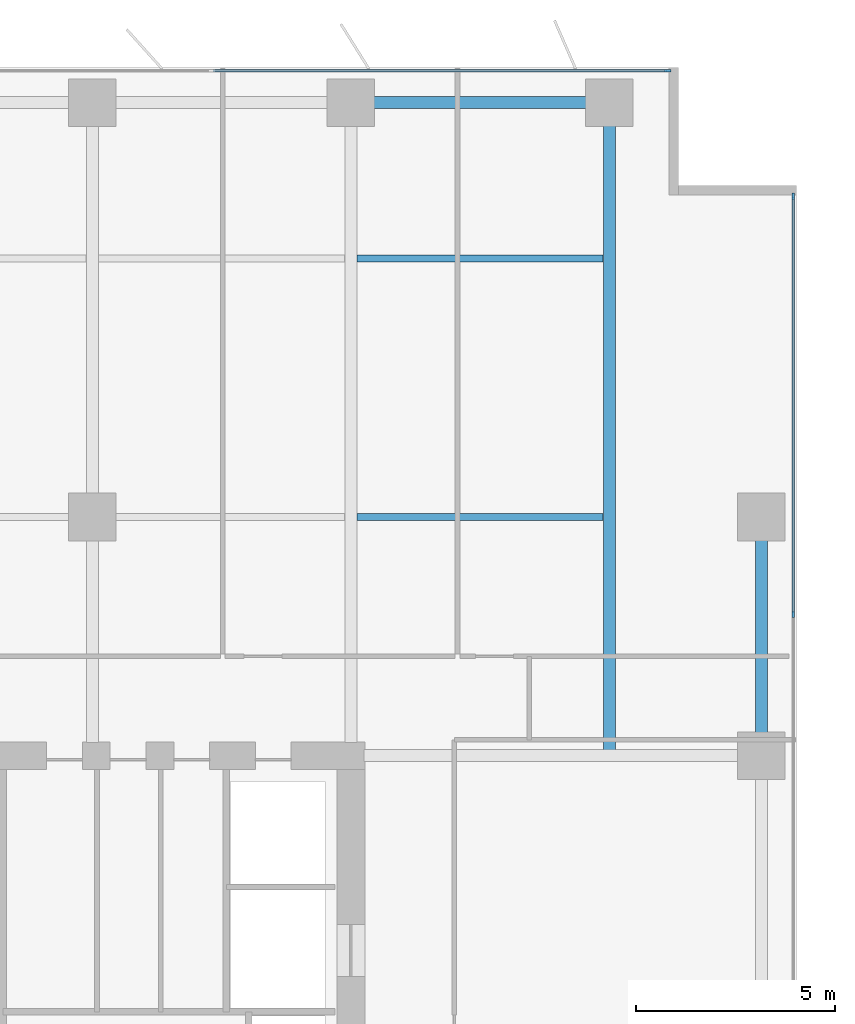
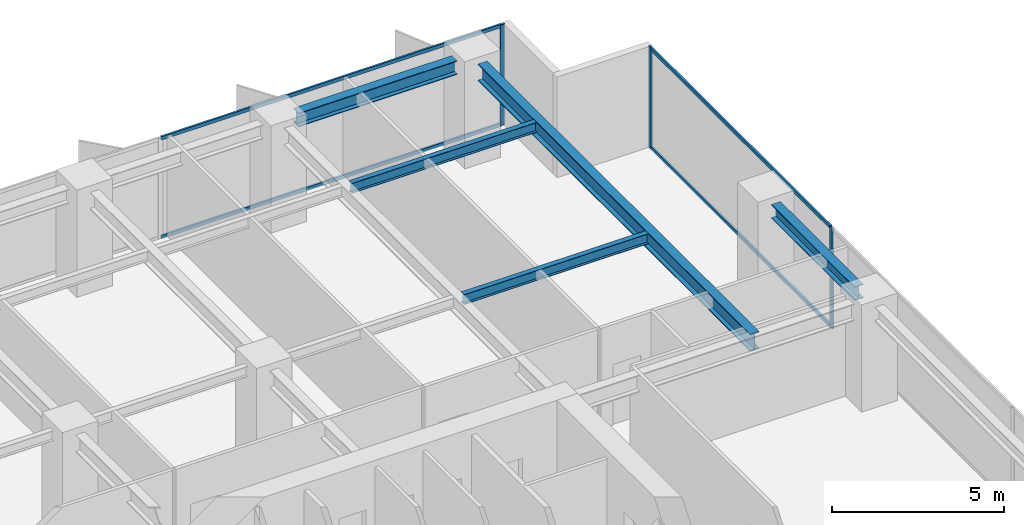
# One storey, part 11 of 20: 7 members, 5 beams, 2 elements without a shape of their own.
"""IFC4 building model written with IfcOpenShell, lengths in metres."""

from ifc_helpers import new_model, si_unit, direction, frame, origin, origin_2d, place, context, subcontext, project, spatial, rectangle, i_section, extrude, material, layer, layer_set, material_profile, profile_set, type_object, element, aggregate, save


model = new_model("IFC4")

# Units and contexts
model_context = context("Model", 3, precision=1e-05, world=origin(), true_north=direction((0.0, 1.0)))
body_context = subcontext(model_context, "Body", "Model", "MODEL_VIEW")
ifc_project = project(units=[si_unit("LENGTHUNIT", "METRE"), si_unit("AREAUNIT", "SQUARE_METRE"), si_unit("VOLUMEUNIT", "CUBIC_METRE"), si_unit("PLANEANGLEUNIT", "RADIAN"), si_unit("MASSUNIT", "GRAM", prefix="KILO")], contexts=[model_context])

# Site, building, storey
site_placement = place(None, origin())
site = spatial("IfcSite", under=ifc_project, at=site_placement, CompositionType="ELEMENT")
building_placement = place(site_placement, origin())
building = spatial("IfcBuilding", under=site, at=building_placement, Name="Putna Gate Headquarters", CompositionType="ELEMENT")
storey_placement = place(building_placement, frame((0.0, 0.0, 112.60009765625)))
storey = spatial("IfcBuildingStorey", under=building, at=storey_placement, Name="L27", CompositionType="ELEMENT", Elevation=112.60009765625)

# Beams
ifc_material_1 = material(Name="Steel S355J2", Category="steel")
ifc_material_profile_1 = material_profile(ifc_material_1, i_section(OverallWidth=0.300048828125, OverallDepth=0.60009765625, WebThickness=0.015380859375, FlangeThickness=0.030029296875, at=origin_2d()), Name="Steel S355J2")
ifc_profile_set_1 = profile_set([ifc_material_profile_1], Name="Steel S355J2")
beam_type_1 = type_object("IfcBeamType", Name="BM-GIRD-Z2-HEB600", PredefinedType="USERDEFINED", material=ifc_profile_set_1)
beam_1_placement = place(storey_placement, frame((71.5, 33.011962890625, 3.264892578125), z_axis=(0.0, 1.0, 0.0), x_axis=(-1.0, 0.0, 0.0)))
element("IfcBeam", 1, at=beam_1_placement, inside=storey, type_object=beam_type_1, Name="L27 North Primary Girder X71", ObjectType="GIRDER", PredefinedType="USERDEFINED", context=body_context, shape_type="SweptSolid", body=[
    extrude(i_section(OverallWidth=0.300048828125, OverallDepth=0.60009765625, WebThickness=0.015380859375, FlangeThickness=0.030029296875, at=origin_2d()), origin(), (0.0, 0.0, 1.0), 15.820068359375),
])
ifc_material_profile_2 = material_profile(ifc_material_1, i_section(OverallWidth=0.169921875, OverallDepth=0.360107421875, WebThickness=0.008056640625, FlangeThickness=0.0126953125, at=origin_2d()), Name="Steel S355J2")
ifc_profile_set_2 = profile_set([ifc_material_profile_2], Name="Steel S355J2")
beam_type_2 = type_object("IfcBeamType", Name="BM-SEC-Z2-IPE360", PredefinedType="BEAM", material=ifc_profile_set_2)
for number, where, z_axis, x_axis, name in (
    (2, (65.154052734375, 39.0, 3.385009765625), (1.0, 0.0, 0.0), (0.0, 1.0, 0.0), "L27 North Secondary Beam 10"),
    (3, (65.154052734375, 45.5, 3.385009765625), (1.0, 0.0, 0.0), (0.0, 1.0, 0.0), "L27 North Secondary Beam 10"),
):
    element("IfcBeam", number, at=place(storey_placement, frame(where, z_axis=z_axis, x_axis=x_axis)), inside=storey, type_object=beam_type_2, Name=name, PredefinedType="BEAM", context=body_context, shape_type="SweptSolid", body=[
        extrude(i_section(OverallWidth=0.169921875, OverallDepth=0.360107421875, WebThickness=0.008056640625, FlangeThickness=0.0126953125, at=origin_2d()), origin(), (0.0, 0.0, 1.0), 6.19189453125),
    ])
ifc_material_profile_3 = material_profile(ifc_material_1, i_section(OverallWidth=0.300048828125, OverallDepth=0.489990234375, WebThickness=0.011962890625, FlangeThickness=0.02294921875, at=origin_2d()), Name="Steel S355J2")
ifc_profile_set_3 = profile_set([ifc_material_profile_3], Name="Steel S355J2")
beam_type_3 = type_object("IfcBeamType", Name="BM-SPAN-Z2-HEA500", PredefinedType="SPANDREL", material=ifc_profile_set_3)
beam_2_placement = place(storey_placement, frame((65.587890625, 49.419921875, 3.31982421875), z_axis=(1.0, 0.0, 0.0), x_axis=(0.0, 1.0, 0.0)))
element("IfcBeam", 4, at=beam_2_placement, inside=storey, type_object=beam_type_3, Name="L27 N Perimeter Spandrel 10", PredefinedType="SPANDREL", context=body_context, shape_type="SweptSolid", body=[
    extrude(i_section(OverallWidth=0.300048828125, OverallDepth=0.489990234375, WebThickness=0.011962890625, FlangeThickness=0.02294921875, at=origin_2d()), origin(), (0.0, 0.0, 1.0), 5.32421875),
])
beam_3_placement = place(storey_placement, frame((75.320068359375, 33.587890625, 3.31982421875), z_axis=(0.0, 1.0, 0.0), x_axis=(-1.0, 0.0, 0.0)))
element("IfcBeam", 5, at=beam_3_placement, inside=storey, type_object=beam_type_3, Name="L27 E End Spandrel 3", PredefinedType="SPANDREL", context=body_context, shape_type="SweptSolid", body=[
    extrude(i_section(OverallWidth=0.300048828125, OverallDepth=0.489990234375, WebThickness=0.011962890625, FlangeThickness=0.02294921875, at=origin_2d()), origin(), (0.0, 0.0, 1.0), 4.82421875),
])

# Curtain wall, member
ifc_material_2 = material(Name="Anodised bronze aluminium curtain wall", Category="aluminium")
ifc_layer = layer(ifc_material_2, 0.159912109375)
ifc_layer_set = layer_set([ifc_layer], Name="Anodised bronze aluminium curtain wall")
curtain_wall_type = type_object("IfcCurtainWallType", Name="CW-SYS-Z2", PredefinedType="USERDEFINED", material=ifc_layer_set)
curtain_wall_1_placement = place(storey_placement, origin())
curtain_wall_1 = element("IfcCurtainWall", 6, at=curtain_wall_1_placement, inside=storey, type_object=curtain_wall_type, Name="L27 North East Curtain Wall", ObjectType="STICK CURTAIN WALL", PredefinedType="USERDEFINED")
ifc_material_3 = material(Name="Anodised bronze aluminium EN AW-6060", Category="aluminium")
ifc_material_profile_4 = material_profile(ifc_material_3, rectangle(XDim=0.06494140625, YDim=0.159912109375, at=origin_2d()), Name="Anodised bronze aluminium EN AW-6060")
ifc_profile_set_4 = profile_set([ifc_material_profile_4], Name="Anodised bronze aluminium EN AW-6060")
member_type_1 = type_object("IfcMemberType", Name="MULL-CWM-2", PredefinedType="MULLION", material=ifc_profile_set_4)
member_1_placement = place(storey_placement, frame((72.967529296875, 50.219970703125, 0.0), z_axis=(0.0, 0.0, 1.0), x_axis=(0.0, 1.0, 0.0)))
member_1 = element("IfcMember", 7, at=member_1_placement, type_object=member_type_1, Name="CWS-2 mullion 3", PredefinedType="MULLION", context=body_context, shape_type="SweptSolid", body=[
    extrude(rectangle(XDim=0.06494140625, YDim=0.159912109375, at=origin_2d()), origin(), (0.0, 0.0, 1.0), 3.56494140625),
])

# Curtain wall, members
curtain_wall_2_placement = place(storey_placement, origin())
curtain_wall_2 = element("IfcCurtainWall", 8, at=curtain_wall_2_placement, inside=storey, type_object=curtain_wall_type, Name="L27 East Curtain Wall", ObjectType="STICK CURTAIN WALL", PredefinedType="USERDEFINED")
member_2_placement = place(storey_placement, frame((76.1201171875, 36.550048828125, 0.0), z_axis=(0.0, 0.0, 1.0), x_axis=(-1.0, 0.0, 0.0)))
member_2 = element("IfcMember", 9, at=member_2_placement, type_object=member_type_1, Name="CWS-2 mullion 4", PredefinedType="MULLION", context=body_context, shape_type="SweptSolid", body=[
    extrude(rectangle(XDim=0.06494140625, YDim=0.159912109375, at=origin_2d()), origin(), (0.0, 0.0, 1.0), 3.56494140625),
])
member_3_placement = place(storey_placement, frame((76.1201171875, 47.0673828125, 0.0), z_axis=(0.0, 0.0, 1.0), x_axis=(-1.0, 0.0, 0.0)))
member_3 = element("IfcMember", 10, at=member_3_placement, type_object=member_type_1, Name="CWS-2 mullion 5", PredefinedType="MULLION", context=body_context, shape_type="SweptSolid", body=[
    extrude(rectangle(XDim=0.06494140625, YDim=0.159912109375, at=origin_2d()), origin(), (0.0, 0.0, 1.0), 3.56494140625),
])

# Member
ifc_material_profile_5 = material_profile(ifc_material_3, rectangle(XDim=0.06494140625, YDim=0.1201171875, at=origin_2d()), Name="Anodised bronze aluminium EN AW-6060")
ifc_profile_set_5 = profile_set([ifc_material_profile_5], Name="Anodised bronze aluminium EN AW-6060")
member_type_2 = type_object("IfcMemberType", Name="TRAN-CWT-2", PredefinedType="USERDEFINED", material=ifc_profile_set_5)
member_4_placement = place(storey_placement, frame((61.532470703125, 50.219970703125, 0.032470703125), z_axis=(1.0, 0.0, 0.0), x_axis=(0.0, 1.0, 0.0)))
member_4 = element("IfcMember", 11, at=member_4_placement, type_object=member_type_2, Name="CWS-2 transom 2.1", ObjectType="TRANSOM", PredefinedType="USERDEFINED", context=body_context, shape_type="SweptSolid", body=[
    extrude(rectangle(XDim=0.06494140625, YDim=0.1201171875, at=origin_2d()), origin(), (0.0, 0.0, 1.0), 11.402587890625),
])

member_5_placement = place(storey_placement, frame((61.532470703125, 50.219970703125, 3.532470703125), z_axis=(1.0, 0.0, 0.0), x_axis=(0.0, 1.0, 0.0)))
member_5 = element("IfcMember", 12, at=member_5_placement, type_object=member_type_2, Name="CWS-2 transom 2.2", ObjectType="TRANSOM", PredefinedType="USERDEFINED", context=body_context, shape_type="SweptSolid", body=[
    extrude(rectangle(XDim=0.06494140625, YDim=0.1201171875, at=origin_2d()), origin(), (0.0, 0.0, 1.0), 11.402587890625),
])

aggregate(curtain_wall_1, [member_1, member_4, member_5])

member_6_placement = place(storey_placement, frame((76.1201171875, 36.58251953125, 0.032470703125), z_axis=(0.0, 1.0, 0.0), x_axis=(-1.0, 0.0, 0.0)))
member_6 = element("IfcMember", 13, at=member_6_placement, type_object=member_type_2, Name="CWS-2 transom 4.1", ObjectType="TRANSOM", PredefinedType="USERDEFINED", context=body_context, shape_type="SweptSolid", body=[
    extrude(rectangle(XDim=0.06494140625, YDim=0.1201171875, at=origin_2d()), origin(), (0.0, 0.0, 1.0), 10.452392578125),
])

member_7_placement = place(storey_placement, frame((76.1201171875, 36.58251953125, 3.532470703125), z_axis=(0.0, 1.0, 0.0), x_axis=(-1.0, 0.0, 0.0)))
member_7 = element("IfcMember", 14, at=member_7_placement, type_object=member_type_2, Name="CWS-2 transom 4.2", ObjectType="TRANSOM", PredefinedType="USERDEFINED", context=body_context, shape_type="SweptSolid", body=[
    extrude(rectangle(XDim=0.06494140625, YDim=0.1201171875, at=origin_2d()), origin(), (0.0, 0.0, 1.0), 10.452392578125),
])

aggregate(curtain_wall_2, [member_2, member_3, member_6, member_7])

save(model, "model.ifc")
